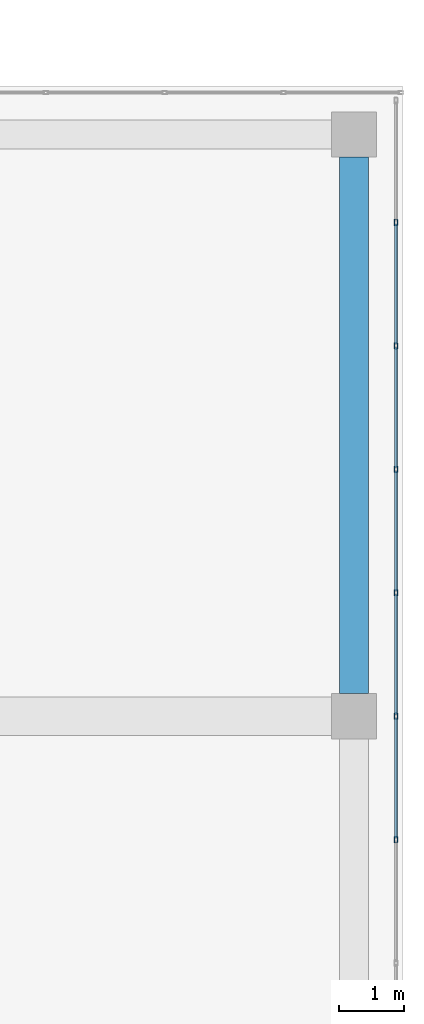
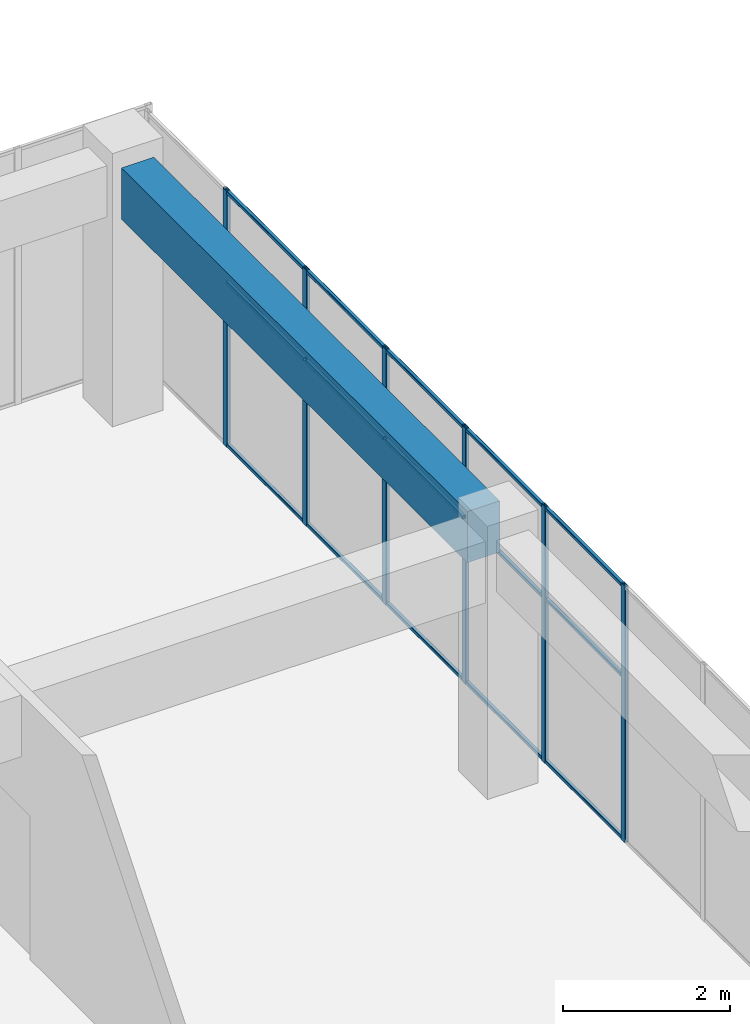
# One storey, part 25 of 43: 21 members, 1 beam, 1 element without a shape of its own.
"""IFC4 building model written with IfcOpenShell, lengths in metres."""

from ifc_helpers import new_model, si_unit, direction, frame, origin, origin_2d, place, context, subcontext, project, spatial, rectangle, hollow_rectangle, extrude, material, layer, layer_set, material_profile, profile_set, type_object, element, aggregate, save


model = new_model("IFC4")

# Units and contexts
model_context = context("Model", 3, precision=1e-05, world=origin(), true_north=direction((0.0, 1.0)))
body_context = subcontext(model_context, "Body", "Model", "MODEL_VIEW")
ifc_project = project(units=[si_unit("LENGTHUNIT", "METRE"), si_unit("AREAUNIT", "SQUARE_METRE"), si_unit("VOLUMEUNIT", "CUBIC_METRE"), si_unit("PLANEANGLEUNIT", "RADIAN"), si_unit("MASSUNIT", "GRAM", prefix="KILO")], contexts=[model_context])

# Site, building, storey
site_placement = place(None, origin())
site = spatial("IfcSite", under=ifc_project, at=site_placement, CompositionType="ELEMENT")
building_placement = place(site_placement, origin())
building = spatial("IfcBuilding", under=site, at=building_placement, Name="Tuart Plaza Theatre", CompositionType="ELEMENT")
storey_placement = place(building_placement, frame((0.0, 0.0, 33.5)))
storey = spatial("IfcBuildingStorey", under=building, at=storey_placement, Name="L08", CompositionType="ELEMENT", Elevation=33.5)

# Beam
ifc_material_1 = material(Name="Concrete N40 (40 MPa)", Category="concrete")
ifc_material_profile_1 = material_profile(ifc_material_1, rectangle(XDim=0.449951171875, YDim=0.75, at=origin_2d()), Name="BEAM 450x750 Concrete N40 (40 MPa)")
ifc_profile_set_1 = profile_set([ifc_material_profile_1], Name="Concrete N40 (40 MPa)")
beam_type = type_object("IfcBeamType", Name="BEAM 450x750 Concrete N40 (40 MPa)", PredefinedType="BEAM", material=ifc_profile_set_1)
beam_placement = place(storey_placement, frame((150.0, 74.35009765625, 3.375), z_axis=(0.0, 1.0, 0.0), x_axis=(-1.0, 0.0, 0.0)))
element("IfcBeam", 1, at=beam_placement, inside=storey, type_object=beam_type, Name="RB278", PredefinedType="BEAM", context=body_context, shape_type="SweptSolid", body=[
    extrude(rectangle(XDim=0.449951171875, YDim=0.75, at=origin_2d()), origin(), (0.0, 0.0, 1.0), 8.2998046875),
])

# Curtain wall, members
ifc_material_2 = material(Name="Aluminium and glass", Category="aluminium")
ifc_layer = layer(ifc_material_2, 0.10009765625)
ifc_layer_set = layer_set([ifc_layer], Name="CURTAIN WALL 2000 module")
curtain_wall_type = type_object("IfcCurtainWallType", Name="CURTAIN WALL 2000 module", PredefinedType="NOTDEFINED", material=ifc_layer_set)
curtain_wall_placement = place(storey_placement, origin())
curtain_wall = element("IfcCurtainWall", 2, at=curtain_wall_placement, inside=storey, type_object=curtain_wall_type, Name="CW92", PredefinedType="NOTDEFINED")
ifc_material_3 = material(Name="Aluminium 6063-T5", Category="aluminium")
ifc_material_profile_2 = material_profile(ifc_material_3, hollow_rectangle(XDim=0.050048828125, YDim=0.10009765625, WallThickness=0.00390625, InnerFilletRadius=0.00390625, OuterFilletRadius=0.008056640625, at=origin_2d()), Name="RHS 100x50x4")
ifc_profile_set_2 = profile_set([ifc_material_profile_2], Name="Aluminium 6063-T5")
member_type_1 = type_object("IfcMemberType", Name="MULLION RHS 100x50x4", PredefinedType="MULLION", material=ifc_profile_set_2)
member_1_placement = place(storey_placement, frame((150.64990234375, 72.090087890625, 0.0), z_axis=(0.0, 0.0, 1.0), x_axis=(-1.0, 0.0, 0.0)))
member_1 = element("IfcMember", 3, at=member_1_placement, type_object=member_type_1, Name="CW92 mullion 5", PredefinedType="MULLION", context=body_context, shape_type="SweptSolid", body=[
    extrude(hollow_rectangle(XDim=0.050048828125, YDim=0.10009765625, WallThickness=0.00390625, InnerFilletRadius=0.00390625, OuterFilletRadius=0.008056640625, at=origin_2d()), origin(), (0.0, 0.0, 1.0), 3.75),
])
member_2_placement = place(storey_placement, frame((150.64990234375, 74.0, 0.0), z_axis=(0.0, 0.0, 1.0), x_axis=(-1.0, 0.0, 0.0)))
member_2 = element("IfcMember", 4, at=member_2_placement, type_object=member_type_1, Name="CW92 mullion 6", PredefinedType="MULLION", context=body_context, shape_type="SweptSolid", body=[
    extrude(hollow_rectangle(XDim=0.050048828125, YDim=0.10009765625, WallThickness=0.00390625, InnerFilletRadius=0.00390625, OuterFilletRadius=0.008056640625, at=origin_2d()), origin(), (0.0, 0.0, 1.0), 3.75),
])
member_3_placement = place(storey_placement, frame((150.64990234375, 75.909912109375, 0.0), z_axis=(0.0, 0.0, 1.0), x_axis=(-1.0, 0.0, 0.0)))
member_3 = element("IfcMember", 5, at=member_3_placement, type_object=member_type_1, Name="CW92 mullion 7", PredefinedType="MULLION", context=body_context, shape_type="SweptSolid", body=[
    extrude(hollow_rectangle(XDim=0.050048828125, YDim=0.10009765625, WallThickness=0.00390625, InnerFilletRadius=0.00390625, OuterFilletRadius=0.008056640625, at=origin_2d()), origin(), (0.0, 0.0, 1.0), 3.75),
])
member_4_placement = place(storey_placement, frame((150.64990234375, 77.820068359375, 0.0), z_axis=(0.0, 0.0, 1.0), x_axis=(-1.0, 0.0, 0.0)))
member_4 = element("IfcMember", 6, at=member_4_placement, type_object=member_type_1, Name="CW92 mullion 8", PredefinedType="MULLION", context=body_context, shape_type="SweptSolid", body=[
    extrude(hollow_rectangle(XDim=0.050048828125, YDim=0.10009765625, WallThickness=0.00390625, InnerFilletRadius=0.00390625, OuterFilletRadius=0.008056640625, at=origin_2d()), origin(), (0.0, 0.0, 1.0), 3.75),
])
member_5_placement = place(storey_placement, frame((150.64990234375, 79.72998046875, 0.0), z_axis=(0.0, 0.0, 1.0), x_axis=(-1.0, 0.0, 0.0)))
member_5 = element("IfcMember", 7, at=member_5_placement, type_object=member_type_1, Name="CW92 mullion 9", PredefinedType="MULLION", context=body_context, shape_type="SweptSolid", body=[
    extrude(hollow_rectangle(XDim=0.050048828125, YDim=0.10009765625, WallThickness=0.00390625, InnerFilletRadius=0.00390625, OuterFilletRadius=0.008056640625, at=origin_2d()), origin(), (0.0, 0.0, 1.0), 3.75),
])
member_6_placement = place(storey_placement, frame((150.64990234375, 81.639892578125, 0.0), z_axis=(0.0, 0.0, 1.0), x_axis=(-1.0, 0.0, 0.0)))
member_6 = element("IfcMember", 8, at=member_6_placement, type_object=member_type_1, Name="CW92 mullion 10", PredefinedType="MULLION", context=body_context, shape_type="SweptSolid", body=[
    extrude(hollow_rectangle(XDim=0.050048828125, YDim=0.10009765625, WallThickness=0.00390625, InnerFilletRadius=0.00390625, OuterFilletRadius=0.008056640625, at=origin_2d()), origin(), (0.0, 0.0, 1.0), 3.75),
])
ifc_material_4 = material(Name="Aluminium 6063-T5", Category="aluminium")
ifc_material_profile_3 = material_profile(ifc_material_4, hollow_rectangle(XDim=0.050048828125, YDim=0.050048828125, WallThickness=0.00390625, InnerFilletRadius=0.00390625, OuterFilletRadius=0.008056640625, at=origin_2d()), Name="RHS 50x50x4")
ifc_profile_set_3 = profile_set([ifc_material_profile_3], Name="Aluminium 6063-T5")
member_type_2 = type_object("IfcMemberType", Name="TRANSOM RHS 50x50x4", PredefinedType="USERDEFINED", material=ifc_profile_set_3)
member_7_placement = place(storey_placement, frame((150.64990234375, 72.114990234375, 0.02490234375), z_axis=(0.0, 1.0, 0.0), x_axis=(-1.0, 0.0, 0.0)))
member_7 = element("IfcMember", 9, at=member_7_placement, type_object=member_type_2, Name="CW92 transom 5.1", ObjectType="TRANSOM", PredefinedType="USERDEFINED", context=body_context, shape_type="SweptSolid", body=[
    extrude(hollow_rectangle(XDim=0.050048828125, YDim=0.050048828125, WallThickness=0.00390625, InnerFilletRadius=0.00390625, OuterFilletRadius=0.008056640625, at=origin_2d()), origin(), (0.0, 0.0, 1.0), 1.860107421875),
])
member_8_placement = place(storey_placement, frame((150.64990234375, 72.114990234375, 2.39990234375), z_axis=(0.0, 1.0, 0.0), x_axis=(-1.0, 0.0, 0.0)))
member_8 = element("IfcMember", 10, at=member_8_placement, type_object=member_type_2, Name="CW92 transom 5.2", ObjectType="TRANSOM", PredefinedType="USERDEFINED", context=body_context, shape_type="SweptSolid", body=[
    extrude(hollow_rectangle(XDim=0.050048828125, YDim=0.050048828125, WallThickness=0.00390625, InnerFilletRadius=0.00390625, OuterFilletRadius=0.008056640625, at=origin_2d()), origin(), (0.0, 0.0, 1.0), 1.860107421875),
])
member_9_placement = place(storey_placement, frame((150.64990234375, 72.114990234375, 3.72509765625), z_axis=(0.0, 1.0, 0.0), x_axis=(-1.0, 0.0, 0.0)))
member_9 = element("IfcMember", 11, at=member_9_placement, type_object=member_type_2, Name="CW92 transom 5.3", ObjectType="TRANSOM", PredefinedType="USERDEFINED", context=body_context, shape_type="SweptSolid", body=[
    extrude(hollow_rectangle(XDim=0.050048828125, YDim=0.050048828125, WallThickness=0.00390625, InnerFilletRadius=0.00390625, OuterFilletRadius=0.008056640625, at=origin_2d()), origin(), (0.0, 0.0, 1.0), 1.860107421875),
])
member_10_placement = place(storey_placement, frame((150.64990234375, 74.02490234375, 0.02490234375), z_axis=(0.0, 1.0, 0.0), x_axis=(-1.0, 0.0, 0.0)))
member_10 = element("IfcMember", 12, at=member_10_placement, type_object=member_type_2, Name="CW92 transom 6.1", ObjectType="TRANSOM", PredefinedType="USERDEFINED", context=body_context, shape_type="SweptSolid", body=[
    extrude(hollow_rectangle(XDim=0.050048828125, YDim=0.050048828125, WallThickness=0.00390625, InnerFilletRadius=0.00390625, OuterFilletRadius=0.008056640625, at=origin_2d()), origin(), (0.0, 0.0, 1.0), 1.860107421875),
])
member_11_placement = place(storey_placement, frame((150.64990234375, 74.02490234375, 2.39990234375), z_axis=(0.0, 1.0, 0.0), x_axis=(-1.0, 0.0, 0.0)))
member_11 = element("IfcMember", 13, at=member_11_placement, type_object=member_type_2, Name="CW92 transom 6.2", ObjectType="TRANSOM", PredefinedType="USERDEFINED", context=body_context, shape_type="SweptSolid", body=[
    extrude(hollow_rectangle(XDim=0.050048828125, YDim=0.050048828125, WallThickness=0.00390625, InnerFilletRadius=0.00390625, OuterFilletRadius=0.008056640625, at=origin_2d()), origin(), (0.0, 0.0, 1.0), 1.860107421875),
])
member_12_placement = place(storey_placement, frame((150.64990234375, 74.02490234375, 3.72509765625), z_axis=(0.0, 1.0, 0.0), x_axis=(-1.0, 0.0, 0.0)))
member_12 = element("IfcMember", 14, at=member_12_placement, type_object=member_type_2, Name="CW92 transom 6.3", ObjectType="TRANSOM", PredefinedType="USERDEFINED", context=body_context, shape_type="SweptSolid", body=[
    extrude(hollow_rectangle(XDim=0.050048828125, YDim=0.050048828125, WallThickness=0.00390625, InnerFilletRadius=0.00390625, OuterFilletRadius=0.008056640625, at=origin_2d()), origin(), (0.0, 0.0, 1.0), 1.860107421875),
])
member_13_placement = place(storey_placement, frame((150.64990234375, 75.93505859375, 0.02490234375), z_axis=(0.0, 1.0, 0.0), x_axis=(-1.0, 0.0, 0.0)))
member_13 = element("IfcMember", 15, at=member_13_placement, type_object=member_type_2, Name="CW92 transom 7.1", ObjectType="TRANSOM", PredefinedType="USERDEFINED", context=body_context, shape_type="SweptSolid", body=[
    extrude(hollow_rectangle(XDim=0.050048828125, YDim=0.050048828125, WallThickness=0.00390625, InnerFilletRadius=0.00390625, OuterFilletRadius=0.008056640625, at=origin_2d()), origin(), (0.0, 0.0, 1.0), 1.85986328125),
])
member_14_placement = place(storey_placement, frame((150.64990234375, 75.93505859375, 2.39990234375), z_axis=(0.0, 1.0, 0.0), x_axis=(-1.0, 0.0, 0.0)))
member_14 = element("IfcMember", 16, at=member_14_placement, type_object=member_type_2, Name="CW92 transom 7.2", ObjectType="TRANSOM", PredefinedType="USERDEFINED", context=body_context, shape_type="SweptSolid", body=[
    extrude(hollow_rectangle(XDim=0.050048828125, YDim=0.050048828125, WallThickness=0.00390625, InnerFilletRadius=0.00390625, OuterFilletRadius=0.008056640625, at=origin_2d()), origin(), (0.0, 0.0, 1.0), 1.85986328125),
])
member_15_placement = place(storey_placement, frame((150.64990234375, 75.93505859375, 3.72509765625), z_axis=(0.0, 1.0, 0.0), x_axis=(-1.0, 0.0, 0.0)))
member_15 = element("IfcMember", 17, at=member_15_placement, type_object=member_type_2, Name="CW92 transom 7.3", ObjectType="TRANSOM", PredefinedType="USERDEFINED", context=body_context, shape_type="SweptSolid", body=[
    extrude(hollow_rectangle(XDim=0.050048828125, YDim=0.050048828125, WallThickness=0.00390625, InnerFilletRadius=0.00390625, OuterFilletRadius=0.008056640625, at=origin_2d()), origin(), (0.0, 0.0, 1.0), 1.85986328125),
])
member_16_placement = place(storey_placement, frame((150.64990234375, 77.844970703125, 0.02490234375), z_axis=(0.0, 1.0, 0.0), x_axis=(-1.0, 0.0, 0.0)))
member_16 = element("IfcMember", 18, at=member_16_placement, type_object=member_type_2, Name="CW92 transom 8.1", ObjectType="TRANSOM", PredefinedType="USERDEFINED", context=body_context, shape_type="SweptSolid", body=[
    extrude(hollow_rectangle(XDim=0.050048828125, YDim=0.050048828125, WallThickness=0.00390625, InnerFilletRadius=0.00390625, OuterFilletRadius=0.008056640625, at=origin_2d()), origin(), (0.0, 0.0, 1.0), 1.860107421875),
])
member_17_placement = place(storey_placement, frame((150.64990234375, 77.844970703125, 2.39990234375), z_axis=(0.0, 1.0, 0.0), x_axis=(-1.0, 0.0, 0.0)))
member_17 = element("IfcMember", 19, at=member_17_placement, type_object=member_type_2, Name="CW92 transom 8.2", ObjectType="TRANSOM", PredefinedType="USERDEFINED", context=body_context, shape_type="SweptSolid", body=[
    extrude(hollow_rectangle(XDim=0.050048828125, YDim=0.050048828125, WallThickness=0.00390625, InnerFilletRadius=0.00390625, OuterFilletRadius=0.008056640625, at=origin_2d()), origin(), (0.0, 0.0, 1.0), 1.860107421875),
])
member_18_placement = place(storey_placement, frame((150.64990234375, 77.844970703125, 3.72509765625), z_axis=(0.0, 1.0, 0.0), x_axis=(-1.0, 0.0, 0.0)))
member_18 = element("IfcMember", 20, at=member_18_placement, type_object=member_type_2, Name="CW92 transom 8.3", ObjectType="TRANSOM", PredefinedType="USERDEFINED", context=body_context, shape_type="SweptSolid", body=[
    extrude(hollow_rectangle(XDim=0.050048828125, YDim=0.050048828125, WallThickness=0.00390625, InnerFilletRadius=0.00390625, OuterFilletRadius=0.008056640625, at=origin_2d()), origin(), (0.0, 0.0, 1.0), 1.860107421875),
])
member_19_placement = place(storey_placement, frame((150.64990234375, 79.7548828125, 0.02490234375), z_axis=(0.0, 1.0, 0.0), x_axis=(-1.0, 0.0, 0.0)))
member_19 = element("IfcMember", 21, at=member_19_placement, type_object=member_type_2, Name="CW92 transom 9.1", ObjectType="TRANSOM", PredefinedType="USERDEFINED", context=body_context, shape_type="SweptSolid", body=[
    extrude(hollow_rectangle(XDim=0.050048828125, YDim=0.050048828125, WallThickness=0.00390625, InnerFilletRadius=0.00390625, OuterFilletRadius=0.008056640625, at=origin_2d()), origin(), (0.0, 0.0, 1.0), 1.860107421875),
])
member_20_placement = place(storey_placement, frame((150.64990234375, 79.7548828125, 2.39990234375), z_axis=(0.0, 1.0, 0.0), x_axis=(-1.0, 0.0, 0.0)))
member_20 = element("IfcMember", 22, at=member_20_placement, type_object=member_type_2, Name="CW92 transom 9.2", ObjectType="TRANSOM", PredefinedType="USERDEFINED", context=body_context, shape_type="SweptSolid", body=[
    extrude(hollow_rectangle(XDim=0.050048828125, YDim=0.050048828125, WallThickness=0.00390625, InnerFilletRadius=0.00390625, OuterFilletRadius=0.008056640625, at=origin_2d()), origin(), (0.0, 0.0, 1.0), 1.860107421875),
])
member_21_placement = place(storey_placement, frame((150.64990234375, 79.7548828125, 3.72509765625), z_axis=(0.0, 1.0, 0.0), x_axis=(-1.0, 0.0, 0.0)))
member_21 = element("IfcMember", 23, at=member_21_placement, type_object=member_type_2, Name="CW92 transom 9.3", ObjectType="TRANSOM", PredefinedType="USERDEFINED", context=body_context, shape_type="SweptSolid", body=[
    extrude(hollow_rectangle(XDim=0.050048828125, YDim=0.050048828125, WallThickness=0.00390625, InnerFilletRadius=0.00390625, OuterFilletRadius=0.008056640625, at=origin_2d()), origin(), (0.0, 0.0, 1.0), 1.860107421875),
])
aggregate(curtain_wall, [member_1, member_2, member_3, member_4, member_5, member_6, member_7, member_8, member_9, member_10, member_11, member_12, member_13, member_14, member_15, member_16, member_17, member_18, member_19, member_20, member_21])

save(model, "model.ifc")
